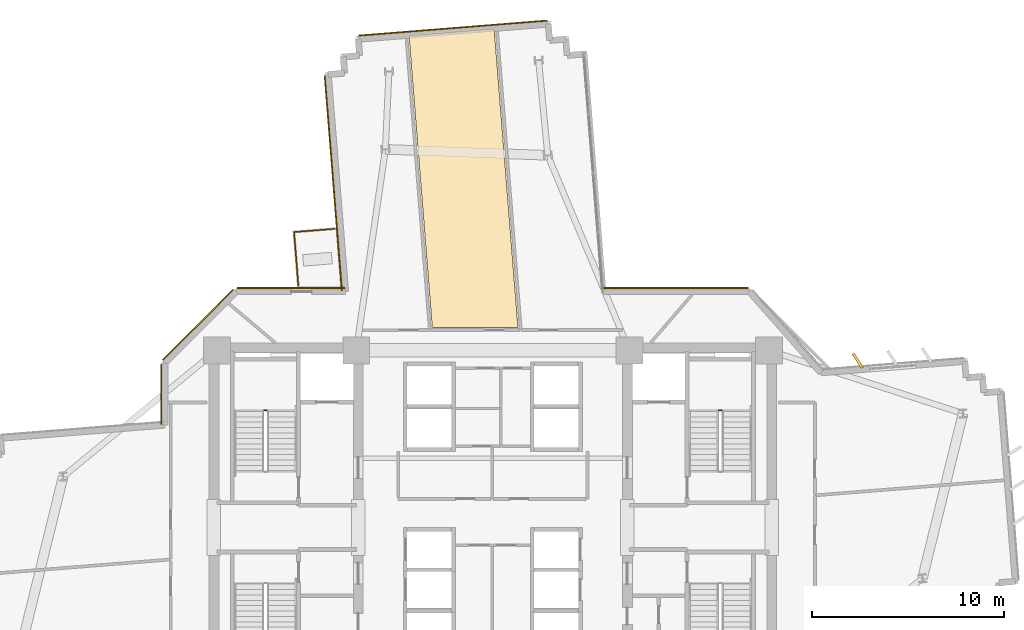
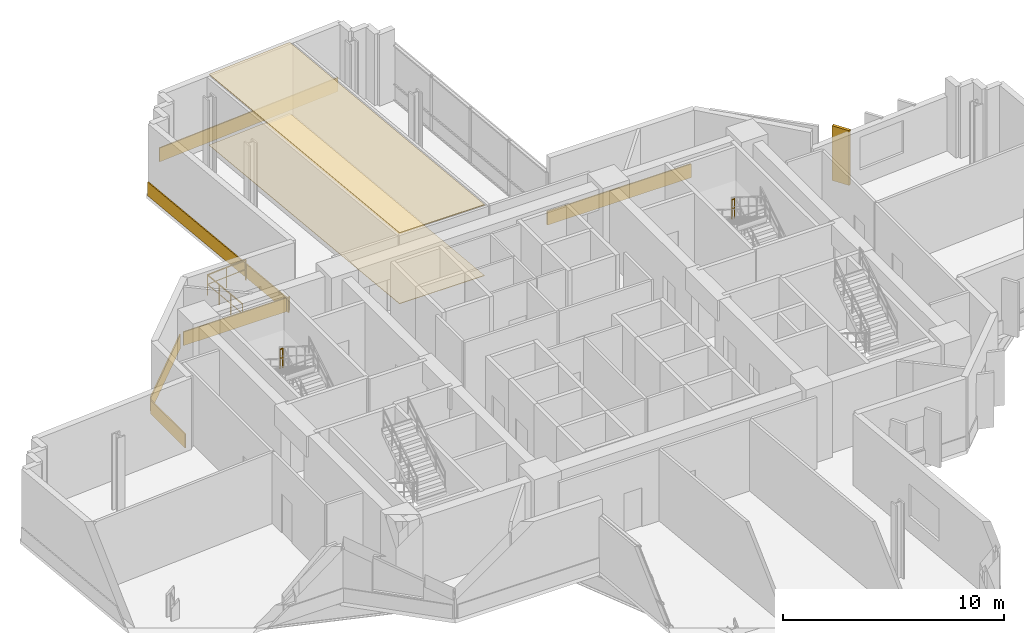
# One storey, part 14 of 15: 9 coverings, 4 railings.
"""IFC4 building model written with IfcOpenShell, lengths in metres."""

from ifc_helpers import new_model, si_unit, direction, frame, origin, origin_2d, place, context, subcontext, project, spatial, polyline, rectangle, outline, extrude, source, transform, mapped, material, layer, layer_set, type_object, element, save


model = new_model("IFC4")

# Units and contexts
model_context = context("Model", 3, precision=1e-05, world=origin(), true_north=direction((0.0, 1.0)))
body_context = subcontext(model_context, "Body", "Model", "MODEL_VIEW")
ifc_project = project(units=[si_unit("LENGTHUNIT", "METRE"), si_unit("AREAUNIT", "SQUARE_METRE"), si_unit("VOLUMEUNIT", "CUBIC_METRE"), si_unit("PLANEANGLEUNIT", "RADIAN"), si_unit("MASSUNIT", "GRAM", prefix="KILO")], contexts=[model_context])

# Site, building, storey
site_placement = place(None, origin())
site = spatial("IfcSite", under=ifc_project, at=site_placement, CompositionType="ELEMENT")
building_placement = place(site_placement, origin())
building = spatial("IfcBuilding", under=site, at=building_placement, Name="Zahravan Cultural Tower", CompositionType="ELEMENT")
storey_placement = place(building_placement, frame((0.0, 0.0, 79.5)))
storey = spatial("IfcBuildingStorey", under=building, at=storey_placement, Name="L17", CompositionType="ELEMENT", Elevation=79.5)

# Coverings
ifc_material_1 = material(Name="Acoustic mineral fibreboard")
ifc_layer_1 = layer(ifc_material_1, 0.0400390625)
ifc_layer_set_1 = layer_set([ifc_layer_1], Name="Acoustic mineral fibreboard")
covering_type_1 = type_object("IfcCoveringType", Name="COV-CEIL-AC20", PredefinedType="CEILING", material=ifc_layer_set_1)
covering_1_placement = place(storey_placement, frame((0.0, 0.0, 3.909912109375)))
element("IfcCovering", 1, at=covering_1_placement, inside=storey, type_object=covering_type_1, Name="L17 Acoustic Suspended Ceiling", PredefinedType="CEILING", context=body_context, shape_type="SweptSolid", body=[
    extrude(outline(polyline([(31.642822265625, 52.574462890625), (32.853271484375, 37.39990234375), (37.307373046875, 37.39990234375), (36.06884765625, 52.927490234375), (31.642822265625, 52.574462890625)])), origin(), (0.0, 0.0, 1.0), 0.0400390625),
])
ifc_material_2 = material(Name="Terrazzo flooring")
ifc_layer_2 = layer(ifc_material_2, 0.02490234375)
ifc_layer_set_2 = layer_set([ifc_layer_2], Name="Terrazzo flooring")
covering_type_2 = type_object("IfcCoveringType", Name="COV-FLR-TZ25", PredefinedType="FLOORING", material=ifc_layer_set_2)
covering_2_placement = place(storey_placement, origin())
element("IfcCovering", 2, at=covering_2_placement, inside=storey, type_object=covering_type_2, Name="L17 Polished Terrazzo Flooring", PredefinedType="FLOORING", context=body_context, shape_type="SweptSolid", body=[
    extrude(outline(polyline([(31.642822265625, 52.574462890625), (32.853271484375, 37.39990234375), (37.307373046875, 37.39990234375), (36.06884765625, 52.927490234375), (31.642822265625, 52.574462890625)])), origin(), (0.0, 0.0, 1.0), 0.02490234375),
])

# Railings
ifc_material_3 = material(Name="Steel ASTM A572 Grade 50", Category="steel")
railing_type_1 = type_object("IfcRailingType", Name="RL-BAL-1150", PredefinedType="BALUSTRADE", material=ifc_material_3)
railing_1_placement = place(storey_placement, frame((25.666259765625, 42.357177734375, 0.0)))
element("IfcRailing", 3, at=railing_1_placement, inside=storey, type_object=railing_type_1, Name="L17 Edge Balustrade GRD-TR-L17-NW-01", PredefinedType="BALUSTRADE", context=body_context, shape_type="SweptSolid", body=[
    extrude(rectangle(XDim=0.05, YDim=0.05, at=origin_2d()), frame((0.0, 0.0, 1.125), z_axis=(0.996842940855, 0.079398685551, 0.0), x_axis=(-0.079398685551, 0.996842940855, 0.0)), (0.0, 0.0, 1.0), 2.10009765625),
    extrude(rectangle(XDim=0.032, YDim=0.032, at=origin_2d()), frame((0.0, 0.0, 0.597900390625), z_axis=(0.996842940855, 0.079398685551, 0.0), x_axis=(-0.079398685551, 0.996842940855, 0.0)), (0.0, 0.0, 1.0), 2.10009765625),
    extrude(rectangle(XDim=0.04, YDim=0.04, at=origin_2d()), origin(), (0.0, 0.0, 1.0), 1.14990234375),
    extrude(rectangle(XDim=0.04, YDim=0.04, at=origin_2d()), frame((1.046875, 0.08349609375, 0.0)), (0.0, 0.0, 1.0), 1.14990234375),
    extrude(rectangle(XDim=0.04, YDim=0.04, at=origin_2d()), frame((2.093505859375, 0.166748046875, 0.0)), (0.0, 0.0, 1.0), 1.14990234375),
])
railing_2_placement = place(storey_placement, frame((25.887939453125, 39.580078125, 0.0)))
element("IfcRailing", 4, at=railing_2_placement, inside=storey, type_object=railing_type_1, Name="L17 Edge Balustrade GRD-TR-L17-NW-02", PredefinedType="BALUSTRADE", context=body_context, shape_type="SweptSolid", body=[
    extrude(rectangle(XDim=0.05, YDim=0.05, at=origin_2d()), frame((0.0, 0.0, 1.125), z_axis=(-0.079571068968, 0.996829195491, 0.0), x_axis=(-0.996829195491, -0.079571068968, 0.0)), (0.0, 0.0, 1.0), 2.785888671875),
    extrude(rectangle(XDim=0.032, YDim=0.032, at=origin_2d()), frame((0.0, 0.0, 0.597900390625), z_axis=(-0.079571068968, 0.996829195491, 0.0), x_axis=(-0.996829195491, -0.079571068968, 0.0)), (0.0, 0.0, 1.0), 2.785888671875),
    extrude(rectangle(XDim=0.04, YDim=0.04, at=origin_2d()), origin(), (0.0, 0.0, 1.0), 1.14990234375),
    extrude(rectangle(XDim=0.04, YDim=0.04, at=origin_2d()), frame((-0.073974609375, 0.92578125, 0.0)), (0.0, 0.0, 1.0), 1.14990234375),
    extrude(rectangle(XDim=0.04, YDim=0.04, at=origin_2d()), frame((-0.147705078125, 1.851318359375, 0.0)), (0.0, 0.0, 1.0), 1.14990234375),
    extrude(rectangle(XDim=0.04, YDim=0.04, at=origin_2d()), frame((-0.2216796875, 2.777099609375, 0.0)), (0.0, 0.0, 1.0), 1.14990234375),
])
railing_type_2 = type_object("IfcRailingType", Name="RL-STAIR-GRD1150", PredefinedType="BALUSTRADE", material=ifc_material_3)
for number, where, name in (
    (5, (24.25, 33.080078125, 2.10009765625), "L17 ST-W1 stair guard 2"),
    (6, (47.89990234375, 33.080078125, 2.10009765625), "L17 ST-E1 stair guard 2"),
):
    element("IfcRailing", number, at=place(storey_placement, frame(where)), inside=storey, type_object=railing_type_2, Name=name, PredefinedType="BALUSTRADE", context=body_context, shape_type="SweptSolid", body=[
        extrude(rectangle(XDim=0.05, YDim=0.05, at=origin_2d()), frame((0.0, 0.0, 1.0751953125), z_axis=(-1.0, 0.0, 0.0), x_axis=(0.0, -1.0, 0.0)), (0.0, 0.0, 1.0), 0.14990234375),
        extrude(rectangle(XDim=0.032, YDim=0.032, at=origin_2d()), frame((0.0, 0.0, 0.572021484375), z_axis=(-1.0, 0.0, 0.0), x_axis=(0.0, -1.0, 0.0)), (0.0, 0.0, 1.0), 0.14990234375),
        extrude(rectangle(XDim=0.04, YDim=0.04, at=origin_2d()), origin(), (0.0, 0.0, 1.0), 1.10009765625),
        extrude(rectangle(XDim=0.04, YDim=0.04, at=origin_2d()), frame((-0.14990234375, 0.0, 0.0)), (0.0, 0.0, 1.0), 1.10009765625),
    ])

# Coverings
ifc_material_4 = material(Name="Terracotta ceramic cladding", Category="masonry")
ifc_layer_3 = layer(ifc_material_4, 0.06005859375)
ifc_layer_set_3 = layer_set([ifc_layer_3], Name="Terracotta ceramic cladding")
covering_type_3 = type_object("IfcCoveringType", Name="COV-CLAD-TC60", PredefinedType="CLADDING", material=ifc_layer_set_3)
shared_shape_1 = source(origin(), body_context, "Body", "SweptSolid", [
    extrude(rectangle(XDim=9.820068359375, YDim=0.06005859375, at=origin_2d()), origin(), (0.0, 0.0, 1.0), 0.760009765625),
])
covering_3_placement = place(storey_placement, frame((33.929443359375, 52.962646484375, 0.02001953125), z_axis=(0.0, 0.0, 1.0), x_axis=(0.996834624954, 0.079503021908, 0.0)))
element("IfcCovering", 7, at=covering_3_placement, inside=storey, type_object=covering_type_3, Name="L17 Terracotta Spandrel Cladding 46", PredefinedType="CLADDING", context=body_context, shape_type="MappedRepresentation", body=[
    mapped(shared_shape_1, transform((0.0, 0.0, 0.0), x_axis=(1.0, 0.0, 0.0), y_axis=(0.0, 1.0, 0.0), z_axis=(0.0, 0.0, 1.0), scale=1.0)),
])
shared_shape_2 = source(origin(), body_context, "Body", "SweptSolid", [
    extrude(rectangle(XDim=5.157958984375, YDim=0.06005859375, at=origin_2d()), origin(), (0.0, 0.0, 1.0), 0.760009765625),
])
covering_4_placement = place(storey_placement, frame((20.668212890625, 37.53173828125, 0.02001953125), z_axis=(0.0, 0.0, 1.0), x_axis=(0.707106781187, 0.707106781187, 0.0)))
element("IfcCovering", 8, at=covering_4_placement, inside=storey, type_object=covering_type_3, Name="L17 Terracotta Spandrel Cladding 39", PredefinedType="CLADDING", context=body_context, shape_type="MappedRepresentation", body=[
    mapped(shared_shape_2, transform((0.0, 0.0, 0.0), x_axis=(1.0, 0.0, 0.0), y_axis=(0.0, 1.0, 0.0), z_axis=(0.0, 0.0, 1.0), scale=1.0)),
])
shared_shape_3 = source(origin(), body_context, "Body", "SweptSolid", [
    extrude(rectangle(XDim=0.8798828125, YDim=0.139892578125, at=origin_2d()), origin(), (0.0, 0.0, 1.0), 3.030029296875),
])
covering_5_placement = place(storey_placement, frame((54.973876953125, 35.666015625, 0.0498046875), z_axis=(0.0, 0.0, 1.0), x_axis=(-0.538182511035, 0.842828324641, 0.0)))
element("IfcCovering", 9, at=covering_5_placement, inside=storey, type_object=covering_type_3, Name="L17 Herringbone Terracotta Fin 01", PredefinedType="CLADDING", context=body_context, shape_type="MappedRepresentation", body=[
    mapped(shared_shape_3, transform((0.0, 0.0, 0.0), x_axis=(1.0, 0.0, 0.0), y_axis=(0.0, 1.0, 0.0), z_axis=(0.0, 0.0, 1.0), scale=1.0)),
])
shared_shape_4 = source(origin(), body_context, "Body", "SweptSolid", [
    extrude(rectangle(XDim=3.12158203125, YDim=0.06005859375, at=origin_2d()), origin(), (0.0, 0.0, 1.0), 0.760009765625),
])
covering_6_placement = place(storey_placement, frame((18.7548828125, 33.931396484375, 0.02001953125), z_axis=(0.0, 0.0, 1.0), x_axis=(0.0, 1.0, 0.0)))
element("IfcCovering", 10, at=covering_6_placement, inside=storey, type_object=covering_type_3, Name="L17 Terracotta Spandrel Cladding 38", PredefinedType="CLADDING", context=body_context, shape_type="MappedRepresentation", body=[
    mapped(shared_shape_4, transform((0.0, 0.0, 0.0), x_axis=(1.0, 0.0, 0.0), y_axis=(0.0, 1.0, 0.0), z_axis=(0.0, 0.0, 1.0), scale=1.0)),
])
shared_shape_5 = source(origin(), body_context, "Body", "SweptSolid", [
    extrude(rectangle(XDim=5.5830078125, YDim=0.06005859375, at=origin_2d()), origin(), (0.0, 0.0, 1.0), 0.760009765625),
])
covering_7_placement = place(storey_placement, frame((25.49951171875, 39.445068359375, 0.02001953125), z_axis=(0.0, 0.0, 1.0), x_axis=(1.0, 0.0, 0.0)))
element("IfcCovering", 11, at=covering_7_placement, inside=storey, type_object=covering_type_3, Name="L17 Terracotta Spandrel Cladding 40", PredefinedType="CLADDING", context=body_context, shape_type="MappedRepresentation", body=[
    mapped(shared_shape_5, transform((0.0, 0.0, 0.0), x_axis=(1.0, 0.0, 0.0), y_axis=(0.0, 1.0, 0.0), z_axis=(0.0, 0.0, 1.0), scale=1.0)),
])
shared_shape_6 = source(origin(), body_context, "Body", "SweptSolid", [
    extrude(rectangle(XDim=11.22998046875, YDim=0.06005859375, at=origin_2d()), origin(), (0.0, 0.0, 1.0), 0.760009765625),
])
covering_8_placement = place(storey_placement, frame((27.706298828125, 44.892333984375, 0.02001953125), z_axis=(0.0, 0.0, 1.0), x_axis=(-0.079503021908, 0.996834624954, 0.0)))
element("IfcCovering", 12, at=covering_8_placement, inside=storey, type_object=covering_type_3, Name="L17 Terracotta Spandrel Cladding 41", PredefinedType="CLADDING", context=body_context, shape_type="MappedRepresentation", body=[
    mapped(shared_shape_6, transform((0.0, 0.0, 0.0), x_axis=(1.0, 0.0, 0.0), y_axis=(0.0, 1.0, 0.0), z_axis=(0.0, 0.0, 1.0), scale=1.0)),
])
shared_shape_7 = source(origin(), body_context, "Body", "SweptSolid", [
    extrude(rectangle(XDim=7.53857421875, YDim=0.06005859375, at=origin_2d()), origin(), (0.0, 0.0, 1.0), 0.760009765625),
])
covering_9_placement = place(storey_placement, frame((45.522705078125, 39.445068359375, 0.02001953125), z_axis=(0.0, 0.0, 1.0), x_axis=(1.0, 0.0, 0.0)))
element("IfcCovering", 13, at=covering_9_placement, inside=storey, type_object=covering_type_3, Name="L17 Terracotta Spandrel Cladding 51", PredefinedType="CLADDING", context=body_context, shape_type="MappedRepresentation", body=[
    mapped(shared_shape_7, transform((0.0, 0.0, 0.0), x_axis=(1.0, 0.0, 0.0), y_axis=(0.0, 1.0, 0.0), z_axis=(0.0, 0.0, 1.0), scale=1.0)),
])

save(model, "model.ifc")
